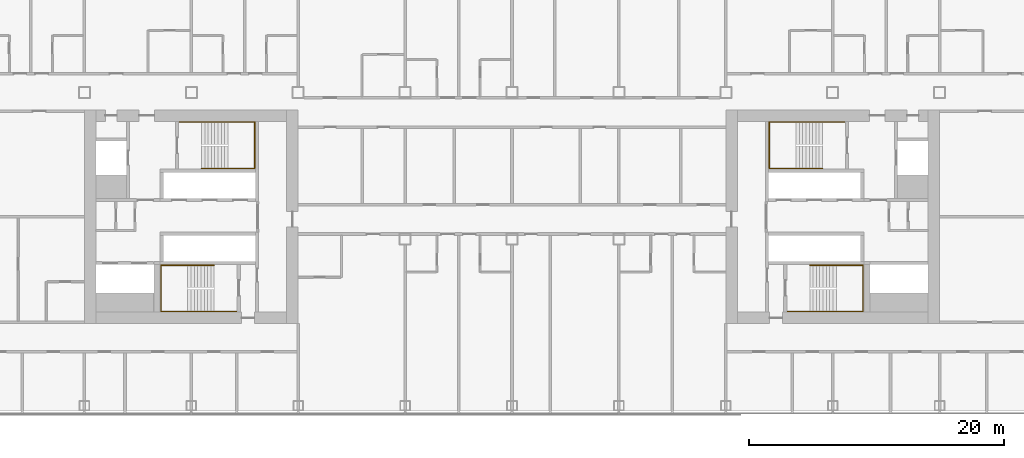
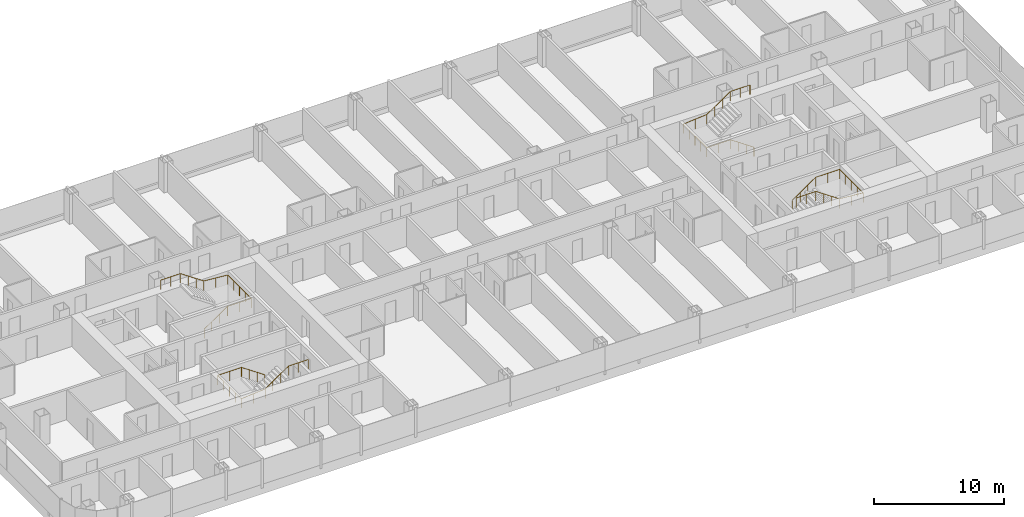
# One storey, part 29 of 29: 4 railings.
"""IFC4 building model written with IfcOpenShell, lengths in metres."""

from ifc_helpers import new_model, si_unit, direction, frame, origin, origin_2d, place, context, subcontext, project, spatial, circle, extrude, material, type_object, element, save


model = new_model("IFC4")

# Units and contexts
model_context = context("Model", 3, precision=1e-05, world=origin(), true_north=direction((0.0, 1.0)))
body_context = subcontext(model_context, "Body", "Model", "MODEL_VIEW")
ifc_project = project(units=[si_unit("LENGTHUNIT", "METRE"), si_unit("AREAUNIT", "SQUARE_METRE"), si_unit("VOLUMEUNIT", "CUBIC_METRE"), si_unit("PLANEANGLEUNIT", "RADIAN"), si_unit("MASSUNIT", "GRAM", prefix="KILO")], contexts=[model_context])

# Site, building, storey
site_placement = place(None, origin())
site = spatial("IfcSite", under=ifc_project, at=site_placement, CompositionType="ELEMENT")
building_placement = place(site_placement, origin())
building = spatial("IfcBuilding", under=site, at=building_placement, Name="Hakoniwa Tower and Hamabe Station Hall", CompositionType="ELEMENT")
storey_placement = place(building_placement, frame((0.0, 0.0, 97.800048828125)))
storey = spatial("IfcBuildingStorey", under=building, at=storey_placement, Name="L27", CompositionType="ELEMENT", Elevation=97.800048828125)

# Railings
ifc_material = material(Name="Stainless steel SUS304", Category="steel")
railing_type = type_object("IfcRailingType", Name="STAIR HANDRAIL 900", PredefinedType="HANDRAIL", material=ifc_material)
railing_1_placement = place(storey_placement, frame((-24.39990234375, 3.81005859375, 0.177734375)))
element("IfcRailing", 1, at=railing_1_placement, inside=storey, type_object=railing_type, Name="Handrail ST-1 L27 1", PredefinedType="HANDRAIL", context=body_context, shape_type="SweptSolid", body=[
    extrude(circle(Radius=0.02392578125, at=origin_2d()), frame((0.0, 0.0, 0.8759765625), z_axis=(0.825478349766, 0.0, 0.564433781827), x_axis=(0.0, 1.0, 0.0)), (0.0, 0.0, 1.0), 2.51953125),
    extrude(circle(Radius=0.02392578125, at=origin_2d()), frame((2.079833984375, 0.0, 2.2978515625), z_axis=(1.0, 0.0, 0.0), x_axis=(0.0, 1.0, 0.0)), (0.0, 0.0, 1.0), 2.110107421875),
    extrude(circle(Radius=0.02392578125, at=origin_2d()), frame((4.18994140625, 0.0, 2.2978515625), z_axis=(0.0, 1.0, 0.0), x_axis=(-1.0, 0.0, 0.0)), (0.0, 0.0, 1.0), 3.6298828125),
    extrude(circle(Radius=0.02392578125, at=origin_2d()), frame((4.18994140625, 3.6298828125, 2.2978515625), z_axis=(-0.996461767938, 0.0, 0.084047278587), x_axis=(0.0, -1.0, 0.0)), (0.0, 0.0, 1.0), 2.11767578125),
    extrude(circle(Radius=0.02392578125, at=origin_2d()), frame((2.079833984375, 3.6298828125, 2.47607421875), z_axis=(-0.825478349766, 0.0, 0.564433781827), x_axis=(0.0, -1.0, 0.0)), (0.0, 0.0, 1.0), 2.51953125),
    extrude(circle(Radius=0.02392578125, at=origin_2d()), frame((0.0, 3.6298828125, 3.89794921875), z_axis=(-1.0, 0.0, 0.0), x_axis=(0.0, -1.0, 0.0)), (0.0, 0.0, 1.0), 1.739990234375),
    extrude(circle(Radius=0.02099609375, at=origin_2d()), origin(), (0.0, 0.0, 1.0), 0.851806640625),
    extrude(circle(Radius=0.02099609375, at=origin_2d()), frame((0.693359375, 0.0, 0.47412109375)), (0.0, 0.0, 1.0), 0.851806640625),
    extrude(circle(Radius=0.02099609375, at=origin_2d()), frame((1.386474609375, 0.0, 0.947998046875)), (0.0, 0.0, 1.0), 0.851806640625),
    extrude(circle(Radius=0.02099609375, at=origin_2d()), frame((2.079833984375, 0.0, 1.422119140625)), (0.0, 0.0, 1.0), 0.851806640625),
    extrude(circle(Radius=0.02099609375, at=origin_2d()), frame((3.134765625, 0.0, 1.422119140625)), (0.0, 0.0, 1.0), 0.851806640625),
    extrude(circle(Radius=0.02099609375, at=origin_2d()), frame((4.18994140625, 0.0, 1.422119140625)), (0.0, 0.0, 1.0), 0.851806640625),
    extrude(circle(Radius=0.02099609375, at=origin_2d()), frame((4.18994140625, 0.907470703125, 1.422119140625)), (0.0, 0.0, 1.0), 0.851806640625),
    extrude(circle(Radius=0.02099609375, at=origin_2d()), frame((4.18994140625, 1.81494140625, 1.422119140625)), (0.0, 0.0, 1.0), 0.851806640625),
    extrude(circle(Radius=0.02099609375, at=origin_2d()), frame((4.18994140625, 2.722412109375, 1.422119140625)), (0.0, 0.0, 1.0), 0.851806640625),
    extrude(circle(Radius=0.02099609375, at=origin_2d()), frame((4.18994140625, 3.6298828125, 1.422119140625)), (0.0, 0.0, 1.0), 0.851806640625),
    extrude(circle(Radius=0.02099609375, at=origin_2d()), frame((3.134765625, 3.6298828125, 1.51123046875)), (0.0, 0.0, 1.0), 0.851806640625),
    extrude(circle(Radius=0.02099609375, at=origin_2d()), frame((2.079833984375, 3.6298828125, 1.60009765625)), (0.0, 0.0, 1.0), 0.851806640625),
    extrude(circle(Radius=0.02099609375, at=origin_2d()), frame((1.386474609375, 3.6298828125, 2.07421875)), (0.0, 0.0, 1.0), 0.851806640625),
    extrude(circle(Radius=0.02099609375, at=origin_2d()), frame((0.693359375, 3.6298828125, 2.548095703125)), (0.0, 0.0, 1.0), 0.851806640625),
    extrude(circle(Radius=0.02099609375, at=origin_2d()), frame((0.0, 3.6298828125, 3.022216796875)), (0.0, 0.0, 1.0), 0.851806640625),
    extrude(circle(Radius=0.02099609375, at=origin_2d()), frame((-0.8701171875, 3.6298828125, 3.022216796875)), (0.0, 0.0, 1.0), 0.851806640625),
    extrude(circle(Radius=0.02099609375, at=origin_2d()), frame((-1.739990234375, 3.6298828125, 3.022216796875)), (0.0, 0.0, 1.0), 0.851806640625),
])
railing_2_placement = place(storey_placement, frame((-23.39990234375, -3.81005859375, 0.177734375)))
element("IfcRailing", 2, at=railing_2_placement, inside=storey, type_object=railing_type, Name="Handrail ST-2 L27 1", PredefinedType="HANDRAIL", context=body_context, shape_type="SweptSolid", body=[
    extrude(circle(Radius=0.02392578125, at=origin_2d()), frame((0.0, 0.0, 0.8759765625), z_axis=(-0.82550921652, 0.0, 0.564388636881), x_axis=(0.0, -1.0, 0.0)), (0.0, 0.0, 1.0), 2.519775390625),
    extrude(circle(Radius=0.02392578125, at=origin_2d()), frame((-2.080078125, 0.0, 2.2978515625), z_axis=(-1.0, 0.0, 0.0), x_axis=(0.0, -1.0, 0.0)), (0.0, 0.0, 1.0), 2.110107421875),
    extrude(circle(Radius=0.02392578125, at=origin_2d()), frame((-4.190185546875, 0.0, 2.2978515625), z_axis=(0.0, -1.0, 0.0), x_axis=(1.0, 0.0, 0.0)), (0.0, 0.0, 1.0), 3.6298828125),
    extrude(circle(Radius=0.02392578125, at=origin_2d()), frame((-4.190185546875, -3.6298828125, 2.2978515625), z_axis=(0.996461767938, 0.0, 0.084047278587), x_axis=(0.0, 1.0, 0.0)), (0.0, 0.0, 1.0), 2.11767578125),
    extrude(circle(Radius=0.02392578125, at=origin_2d()), frame((-2.080078125, -3.6298828125, 2.47607421875), z_axis=(0.82550921652, 0.0, 0.564388636881), x_axis=(0.0, 1.0, 0.0)), (0.0, 0.0, 1.0), 2.519775390625),
    extrude(circle(Radius=0.02392578125, at=origin_2d()), frame((0.0, -3.6298828125, 3.89794921875), z_axis=(1.0, 0.0, 0.0), x_axis=(0.0, 1.0, 0.0)), (0.0, 0.0, 1.0), 1.739990234375),
    extrude(circle(Radius=0.02099609375, at=origin_2d()), origin(), (0.0, 0.0, 1.0), 0.851806640625),
    extrude(circle(Radius=0.02099609375, at=origin_2d()), frame((-0.693359375, 0.0, 0.47412109375)), (0.0, 0.0, 1.0), 0.851806640625),
    extrude(circle(Radius=0.02099609375, at=origin_2d()), frame((-1.38671875, 0.0, 0.947998046875)), (0.0, 0.0, 1.0), 0.851806640625),
    extrude(circle(Radius=0.02099609375, at=origin_2d()), frame((-2.080078125, 0.0, 1.422119140625)), (0.0, 0.0, 1.0), 0.851806640625),
    extrude(circle(Radius=0.02099609375, at=origin_2d()), frame((-3.13525390625, 0.0, 1.422119140625)), (0.0, 0.0, 1.0), 0.851806640625),
    extrude(circle(Radius=0.02099609375, at=origin_2d()), frame((-4.190185546875, 0.0, 1.422119140625)), (0.0, 0.0, 1.0), 0.851806640625),
    extrude(circle(Radius=0.02099609375, at=origin_2d()), frame((-4.190185546875, -0.907470703125, 1.422119140625)), (0.0, 0.0, 1.0), 0.851806640625),
    extrude(circle(Radius=0.02099609375, at=origin_2d()), frame((-4.190185546875, -1.81494140625, 1.422119140625)), (0.0, 0.0, 1.0), 0.851806640625),
    extrude(circle(Radius=0.02099609375, at=origin_2d()), frame((-4.190185546875, -2.722412109375, 1.422119140625)), (0.0, 0.0, 1.0), 0.851806640625),
    extrude(circle(Radius=0.02099609375, at=origin_2d()), frame((-4.190185546875, -3.6298828125, 1.422119140625)), (0.0, 0.0, 1.0), 0.851806640625),
    extrude(circle(Radius=0.02099609375, at=origin_2d()), frame((-3.13525390625, -3.6298828125, 1.51123046875)), (0.0, 0.0, 1.0), 0.851806640625),
    extrude(circle(Radius=0.02099609375, at=origin_2d()), frame((-2.080078125, -3.6298828125, 1.60009765625)), (0.0, 0.0, 1.0), 0.851806640625),
    extrude(circle(Radius=0.02099609375, at=origin_2d()), frame((-1.38671875, -3.6298828125, 2.07421875)), (0.0, 0.0, 1.0), 0.851806640625),
    extrude(circle(Radius=0.02099609375, at=origin_2d()), frame((-0.693359375, -3.6298828125, 2.548095703125)), (0.0, 0.0, 1.0), 0.851806640625),
    extrude(circle(Radius=0.02099609375, at=origin_2d()), frame((0.0, -3.6298828125, 3.022216796875)), (0.0, 0.0, 1.0), 0.851806640625),
    extrude(circle(Radius=0.02099609375, at=origin_2d()), frame((0.8701171875, -3.6298828125, 3.022216796875)), (0.0, 0.0, 1.0), 0.851806640625),
    extrude(circle(Radius=0.02099609375, at=origin_2d()), frame((1.739990234375, -3.6298828125, 3.022216796875)), (0.0, 0.0, 1.0), 0.851806640625),
])
railing_3_placement = place(storey_placement, frame((24.39990234375, 3.81005859375, 0.177734375)))
element("IfcRailing", 3, at=railing_3_placement, inside=storey, type_object=railing_type, Name="Handrail ST-3 L27 1", PredefinedType="HANDRAIL", context=body_context, shape_type="SweptSolid", body=[
    extrude(circle(Radius=0.02392578125, at=origin_2d()), frame((0.0, 0.0, 0.8759765625), z_axis=(-0.825478349766, 0.0, 0.564433781827), x_axis=(0.0, -1.0, 0.0)), (0.0, 0.0, 1.0), 2.51953125),
    extrude(circle(Radius=0.02392578125, at=origin_2d()), frame((-2.079833984375, 0.0, 2.2978515625), z_axis=(-1.0, 0.0, 0.0), x_axis=(0.0, -1.0, 0.0)), (0.0, 0.0, 1.0), 2.110107421875),
    extrude(circle(Radius=0.02392578125, at=origin_2d()), frame((-4.18994140625, 0.0, 2.2978515625), z_axis=(0.0, 1.0, 0.0), x_axis=(-1.0, 0.0, 0.0)), (0.0, 0.0, 1.0), 3.6298828125),
    extrude(circle(Radius=0.02392578125, at=origin_2d()), frame((-4.18994140625, 3.6298828125, 2.2978515625), z_axis=(0.996461767938, 0.0, 0.084047278587), x_axis=(0.0, 1.0, 0.0)), (0.0, 0.0, 1.0), 2.11767578125),
    extrude(circle(Radius=0.02392578125, at=origin_2d()), frame((-2.079833984375, 3.6298828125, 2.47607421875), z_axis=(0.825478349766, 0.0, 0.564433781827), x_axis=(0.0, 1.0, 0.0)), (0.0, 0.0, 1.0), 2.51953125),
    extrude(circle(Radius=0.02392578125, at=origin_2d()), frame((0.0, 3.6298828125, 3.89794921875), z_axis=(1.0, 0.0, 0.0), x_axis=(0.0, 1.0, 0.0)), (0.0, 0.0, 1.0), 1.739990234375),
    extrude(circle(Radius=0.02099609375, at=origin_2d()), origin(), (0.0, 0.0, 1.0), 0.851806640625),
    extrude(circle(Radius=0.02099609375, at=origin_2d()), frame((-0.693359375, 0.0, 0.47412109375)), (0.0, 0.0, 1.0), 0.851806640625),
    extrude(circle(Radius=0.02099609375, at=origin_2d()), frame((-1.386474609375, 0.0, 0.947998046875)), (0.0, 0.0, 1.0), 0.851806640625),
    extrude(circle(Radius=0.02099609375, at=origin_2d()), frame((-2.079833984375, 0.0, 1.422119140625)), (0.0, 0.0, 1.0), 0.851806640625),
    extrude(circle(Radius=0.02099609375, at=origin_2d()), frame((-3.134765625, 0.0, 1.422119140625)), (0.0, 0.0, 1.0), 0.851806640625),
    extrude(circle(Radius=0.02099609375, at=origin_2d()), frame((-4.18994140625, 0.0, 1.422119140625)), (0.0, 0.0, 1.0), 0.851806640625),
    extrude(circle(Radius=0.02099609375, at=origin_2d()), frame((-4.18994140625, 0.907470703125, 1.422119140625)), (0.0, 0.0, 1.0), 0.851806640625),
    extrude(circle(Radius=0.02099609375, at=origin_2d()), frame((-4.18994140625, 1.81494140625, 1.422119140625)), (0.0, 0.0, 1.0), 0.851806640625),
    extrude(circle(Radius=0.02099609375, at=origin_2d()), frame((-4.18994140625, 2.722412109375, 1.422119140625)), (0.0, 0.0, 1.0), 0.851806640625),
    extrude(circle(Radius=0.02099609375, at=origin_2d()), frame((-4.18994140625, 3.6298828125, 1.422119140625)), (0.0, 0.0, 1.0), 0.851806640625),
    extrude(circle(Radius=0.02099609375, at=origin_2d()), frame((-3.134765625, 3.6298828125, 1.51123046875)), (0.0, 0.0, 1.0), 0.851806640625),
    extrude(circle(Radius=0.02099609375, at=origin_2d()), frame((-2.079833984375, 3.6298828125, 1.60009765625)), (0.0, 0.0, 1.0), 0.851806640625),
    extrude(circle(Radius=0.02099609375, at=origin_2d()), frame((-1.386474609375, 3.6298828125, 2.07421875)), (0.0, 0.0, 1.0), 0.851806640625),
    extrude(circle(Radius=0.02099609375, at=origin_2d()), frame((-0.693359375, 3.6298828125, 2.548095703125)), (0.0, 0.0, 1.0), 0.851806640625),
    extrude(circle(Radius=0.02099609375, at=origin_2d()), frame((0.0, 3.6298828125, 3.022216796875)), (0.0, 0.0, 1.0), 0.851806640625),
    extrude(circle(Radius=0.02099609375, at=origin_2d()), frame((0.8701171875, 3.6298828125, 3.022216796875)), (0.0, 0.0, 1.0), 0.851806640625),
    extrude(circle(Radius=0.02099609375, at=origin_2d()), frame((1.739990234375, 3.6298828125, 3.022216796875)), (0.0, 0.0, 1.0), 0.851806640625),
])
railing_4_placement = place(storey_placement, frame((23.39990234375, -3.81005859375, 0.177734375)))
element("IfcRailing", 4, at=railing_4_placement, inside=storey, type_object=railing_type, Name="Handrail ST-4 L27 1", PredefinedType="HANDRAIL", context=body_context, shape_type="SweptSolid", body=[
    extrude(circle(Radius=0.02392578125, at=origin_2d()), frame((0.0, 0.0, 0.8759765625), z_axis=(0.82550921652, 0.0, 0.564388636881), x_axis=(0.0, 1.0, 0.0)), (0.0, 0.0, 1.0), 2.519775390625),
    extrude(circle(Radius=0.02392578125, at=origin_2d()), frame((2.080078125, 0.0, 2.2978515625), z_axis=(1.0, 0.0, 0.0), x_axis=(0.0, 1.0, 0.0)), (0.0, 0.0, 1.0), 2.110107421875),
    extrude(circle(Radius=0.02392578125, at=origin_2d()), frame((4.190185546875, 0.0, 2.2978515625), z_axis=(0.0, -1.0, 0.0), x_axis=(1.0, 0.0, 0.0)), (0.0, 0.0, 1.0), 3.6298828125),
    extrude(circle(Radius=0.02392578125, at=origin_2d()), frame((4.190185546875, -3.6298828125, 2.2978515625), z_axis=(-0.996461767938, 0.0, 0.084047278587), x_axis=(0.0, -1.0, 0.0)), (0.0, 0.0, 1.0), 2.11767578125),
    extrude(circle(Radius=0.02392578125, at=origin_2d()), frame((2.080078125, -3.6298828125, 2.47607421875), z_axis=(-0.82550921652, 0.0, 0.564388636881), x_axis=(0.0, -1.0, 0.0)), (0.0, 0.0, 1.0), 2.519775390625),
    extrude(circle(Radius=0.02392578125, at=origin_2d()), frame((0.0, -3.6298828125, 3.89794921875), z_axis=(-1.0, 0.0, 0.0), x_axis=(0.0, -1.0, 0.0)), (0.0, 0.0, 1.0), 1.739990234375),
    extrude(circle(Radius=0.02099609375, at=origin_2d()), origin(), (0.0, 0.0, 1.0), 0.851806640625),
    extrude(circle(Radius=0.02099609375, at=origin_2d()), frame((0.693359375, 0.0, 0.47412109375)), (0.0, 0.0, 1.0), 0.851806640625),
    extrude(circle(Radius=0.02099609375, at=origin_2d()), frame((1.38671875, 0.0, 0.947998046875)), (0.0, 0.0, 1.0), 0.851806640625),
    extrude(circle(Radius=0.02099609375, at=origin_2d()), frame((2.080078125, 0.0, 1.422119140625)), (0.0, 0.0, 1.0), 0.851806640625),
    extrude(circle(Radius=0.02099609375, at=origin_2d()), frame((3.13525390625, 0.0, 1.422119140625)), (0.0, 0.0, 1.0), 0.851806640625),
    extrude(circle(Radius=0.02099609375, at=origin_2d()), frame((4.190185546875, 0.0, 1.422119140625)), (0.0, 0.0, 1.0), 0.851806640625),
    extrude(circle(Radius=0.02099609375, at=origin_2d()), frame((4.190185546875, -0.907470703125, 1.422119140625)), (0.0, 0.0, 1.0), 0.851806640625),
    extrude(circle(Radius=0.02099609375, at=origin_2d()), frame((4.190185546875, -1.81494140625, 1.422119140625)), (0.0, 0.0, 1.0), 0.851806640625),
    extrude(circle(Radius=0.02099609375, at=origin_2d()), frame((4.190185546875, -2.722412109375, 1.422119140625)), (0.0, 0.0, 1.0), 0.851806640625),
    extrude(circle(Radius=0.02099609375, at=origin_2d()), frame((4.190185546875, -3.6298828125, 1.422119140625)), (0.0, 0.0, 1.0), 0.851806640625),
    extrude(circle(Radius=0.02099609375, at=origin_2d()), frame((3.13525390625, -3.6298828125, 1.51123046875)), (0.0, 0.0, 1.0), 0.851806640625),
    extrude(circle(Radius=0.02099609375, at=origin_2d()), frame((2.080078125, -3.6298828125, 1.60009765625)), (0.0, 0.0, 1.0), 0.851806640625),
    extrude(circle(Radius=0.02099609375, at=origin_2d()), frame((1.38671875, -3.6298828125, 2.07421875)), (0.0, 0.0, 1.0), 0.851806640625),
    extrude(circle(Radius=0.02099609375, at=origin_2d()), frame((0.693359375, -3.6298828125, 2.548095703125)), (0.0, 0.0, 1.0), 0.851806640625),
    extrude(circle(Radius=0.02099609375, at=origin_2d()), frame((0.0, -3.6298828125, 3.022216796875)), (0.0, 0.0, 1.0), 0.851806640625),
    extrude(circle(Radius=0.02099609375, at=origin_2d()), frame((-0.8701171875, -3.6298828125, 3.022216796875)), (0.0, 0.0, 1.0), 0.851806640625),
    extrude(circle(Radius=0.02099609375, at=origin_2d()), frame((-1.739990234375, -3.6298828125, 3.022216796875)), (0.0, 0.0, 1.0), 0.851806640625),
])

save(model, "model.ifc")
